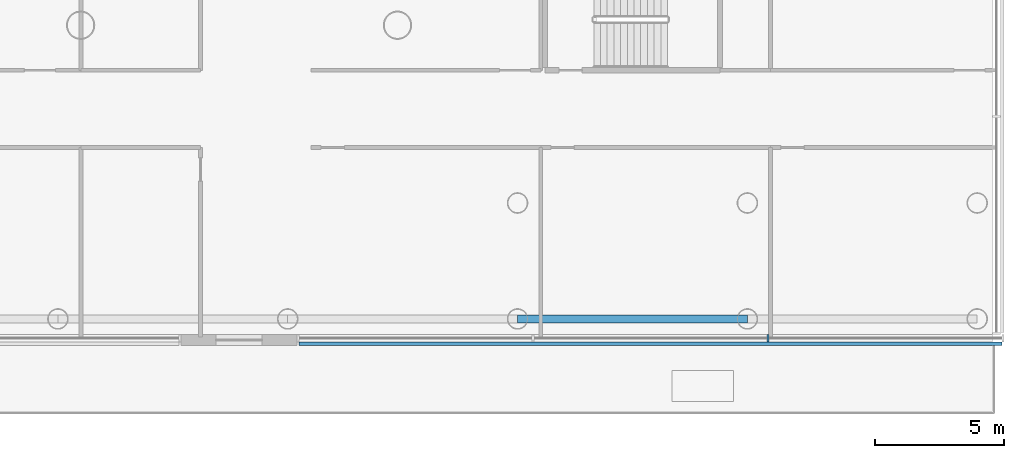
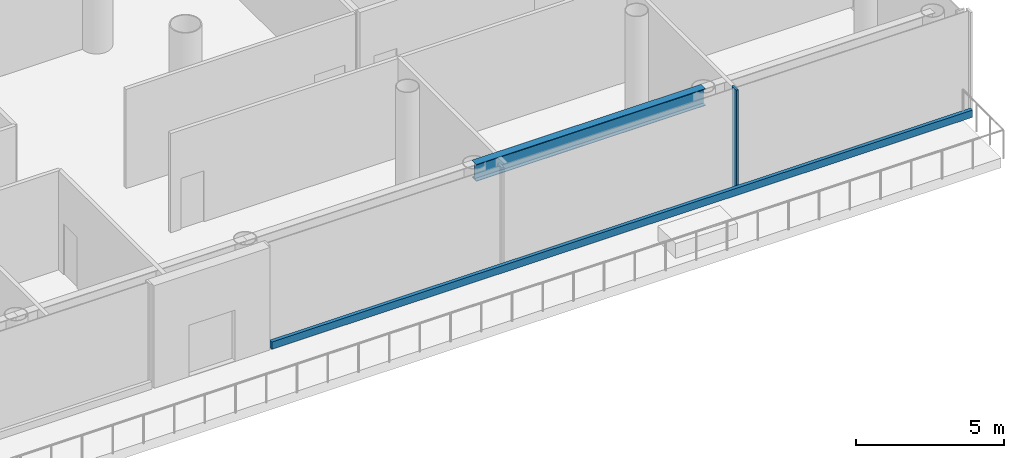
# One storey, part 9 of 51: 2 members, 1 beam, 1 element without a shape of its own.
"""IFC4 building model written with IfcOpenShell, lengths in metres."""

import ifcopenshell
import ifcopenshell.guid

model = None  # the IFC model being written
_history = None  # IfcOwnerHistory: only IFC2X3 demands one
_inside = {}  # id of a spatial element -> (the spatial element, [elements in it])
_under = {}  # id of a project, library or spatial element -> (it, [spatial elements below it])
_declared = {}  # id of a project -> (the project, [libraries it declares])
_typed = {}  # id of a type object -> (the type object, [elements of that type])
_made_of = {}  # id of a material, layer set ... -> (it, [elements and type objects made of it])


def new_model(schema):
    """Start an empty IFC model of exactly this schema.

    Asked for "IFC4X3", IfcOpenShell would pick the latest addendum, in which some entities
    have other attributes; the version numbers below select the first issue.
    IFC2X3 requires an IfcOwnerHistory on every rooted entity: one is made here for all.
    """
    global model, _history
    if schema == "IFC4X3":
        model = ifcopenshell.file(schema_version=(4, 3, 0, 0))
    else:
        model = ifcopenshell.file(schema=schema)
    _inside.clear()
    _under.clear()
    _declared.clear()
    _typed.clear()
    _made_of.clear()
    _history = None
    if model.schema == "IFC2X3":
        org = make("IfcOrganization", Name="unknown")
        user = make(
            "IfcPersonAndOrganization",
            ThePerson=make("IfcPerson", FamilyName="unknown"),
            TheOrganization=org,
        )
        app = make(
            "IfcApplication",
            ApplicationDeveloper=org,
            Version="unknown",
            ApplicationFullName="unknown",
            ApplicationIdentifier="unknown",
        )
        _history = make(
            "IfcOwnerHistory",
            OwningUser=user,
            OwningApplication=app,
            ChangeAction="ADDED",
            CreationDate=0,
        )
    return model


def make(cls, **values):
    """One entity of the class cls with the attributes given. An attribute that is None is left unset."""
    return model.create_entity(
        cls, **{name: value for name, value in values.items() if value is not None}
    )


def rooted(cls, **values):
    """An entity with a GlobalId (a new one), such as an element, a storey or a relation."""
    return make(cls, GlobalId=ifcopenshell.guid.new(), OwnerHistory=_history, **values)


def si_unit(unit_type, name, prefix=None):
    """IfcSIUnit, for example si_unit("LENGTHUNIT", "METRE", prefix="MILLI")."""
    return make("IfcSIUnit", UnitType=unit_type, Prefix=prefix, Name=name)


def assignment(units):
    """IfcUnitAssignment: the units of a project."""
    return None if units is None else make("IfcUnitAssignment", Units=units)


def point(xyz):
    """IfcCartesianPoint."""
    return None if xyz is None else make("IfcCartesianPoint", Coordinates=xyz)


def direction(xyz):
    """IfcDirection."""
    return None if xyz is None else make("IfcDirection", DirectionRatios=xyz)


def frame(location, z_axis=None, x_axis=None):
    """IfcAxis2Placement3D, a coordinate frame: its origin and axes. An axis left out is left unset."""
    return make(
        "IfcAxis2Placement3D",
        Location=point(location),
        Axis=direction(z_axis),
        RefDirection=direction(x_axis),
    )


def frame_2d(location, x_axis=None):
    """IfcAxis2Placement2D, a coordinate frame in the plane: its origin and x axis."""
    return make(
        "IfcAxis2Placement2D", Location=point(location), RefDirection=direction(x_axis)
    )


def origin():
    """The frame at (0, 0, 0) with its axes left unset."""
    return frame((0.0, 0.0, 0.0))


def origin_2d():
    """The frame at (0, 0) in the plane with its x axis left unset."""
    return frame_2d((0.0, 0.0))


def place(relative_to, where):
    """IfcLocalPlacement: puts the frame where relative to a parent placement (None: the world)."""
    return make(
        "IfcLocalPlacement", PlacementRelTo=relative_to, RelativePlacement=where
    )


def context(
    kind, dimensions, precision=None, world=None, true_north=None, identifier=None
):
    """IfcGeometricRepresentationContext, for example the 3D "Model" context."""
    return make(
        "IfcGeometricRepresentationContext",
        ContextIdentifier=identifier,
        ContextType=kind,
        CoordinateSpaceDimension=dimensions,
        Precision=precision,
        WorldCoordinateSystem=world,
        TrueNorth=true_north,
    )


def subcontext(parent, identifier, kind, view, scale=None):
    """IfcGeometricRepresentationSubContext, for example "Body" below "Model"."""
    return make(
        "IfcGeometricRepresentationSubContext",
        ContextIdentifier=identifier,
        ContextType=kind,
        ParentContext=parent,
        TargetScale=scale,
        TargetView=view,
    )


def project(units=None, contexts=None):
    """IfcProject with its units and contexts."""
    return rooted(
        "IfcProject",
        Name="project",
        RepresentationContexts=contexts,
        UnitsInContext=assignment(units),
    )


def spatial(cls, under=None, at=None, **own):
    """A site, building, storey or space (cls), placed at a placement, below another one or the project."""
    s = rooted(cls, ObjectPlacement=at, **own)
    if under is not None:
        _under.setdefault(under.id(), (under, []))[1].append(s)
    return s


def profile(cls, at=None, kind="AREA", **sizes):
    """A parametric profile (cls). Its sizes go by their IFC names, for example OverallWidth=200.0."""
    return make(cls, ProfileType=kind, Position=at, **sizes)


def rectangle(**sizes):
    """IfcRectangleProfileDef."""
    return profile("IfcRectangleProfileDef", **sizes)


def i_section(**sizes):
    """IfcIShapeProfileDef."""
    return profile("IfcIShapeProfileDef", **sizes)


def extrude(swept, where, along, depth):
    """IfcExtrudedAreaSolid: the profile swept, set in the frame where, extruded along a direction by depth."""
    return make(
        "IfcExtrudedAreaSolid",
        SweptArea=swept,
        Position=where,
        ExtrudedDirection=direction(along),
        Depth=depth,
    )


def shape(context_of_items, identifier, shape_type, items):
    """IfcShapeRepresentation: the items that make up one representation, for example the "Body"."""
    return make(
        "IfcShapeRepresentation",
        ContextOfItems=context_of_items,
        RepresentationIdentifier=identifier,
        RepresentationType=shape_type,
        Items=items,
    )


def material(Name=None, Category=None):
    """IfcMaterial."""
    return make("IfcMaterial", Name=Name, Category=Category)


def layer(
    of_material, thickness, ventilated=None, Name=None, Category=None, Priority=None
):
    """IfcMaterialLayer: one layer of a wall or slab, of a material (None: an air gap)."""
    return make(
        "IfcMaterialLayer",
        Material=of_material,
        LayerThickness=thickness,
        IsVentilated=ventilated,
        Name=Name,
        Category=Category,
        Priority=Priority,
    )


def layer_set(layers, Name=None):
    """IfcMaterialLayerSet."""
    return make("IfcMaterialLayerSet", MaterialLayers=layers, LayerSetName=Name)


def material_profile(
    of_material, cross_section, Name=None, Category=None, Priority=None
):
    """IfcMaterialProfile: a cross section and its material."""
    return make(
        "IfcMaterialProfile",
        Name=Name,
        Material=of_material,
        Profile=cross_section,
        Priority=Priority,
        Category=Category,
    )


def profile_set(profiles, Name=None, composite=None):
    """IfcMaterialProfileSet."""
    return make(
        "IfcMaterialProfileSet",
        Name=Name,
        MaterialProfiles=profiles,
        CompositeProfile=composite,
    )


def made_of(thing, what):
    """Note that an element or type object is made of a material, layer set ...; save() writes the relation."""
    if what is not None:
        _made_of.setdefault(what.id(), (what, []))[1].append(thing)
    return thing


def type_object(cls, material=None, **own):
    """A type object (cls), such as IfcWallType, which elements share."""
    return made_of(rooted(cls, **own), material)


def element(
    cls,
    number,
    at=None,
    inside=None,
    cuts=None,
    type_object=None,
    material=None,
    context=None,
    identifier="Body",
    shape_type=None,
    held_by="IfcProductDefinitionShape",
    body=None,
    shapes=None,
    **own,
):
    """One element of the class cls, such as IfcWall. Its Tag is "e" and its number.

    at: its placement. inside: the storey or other place that contains it. cuts: it is an
    opening in that element (IfcRelVoidsElement). A single representation is given by context,
    identifier, shape_type and body (its items); several are given by shapes. held_by: the class
    of the entity that holds the representations. save() writes the other relations.
    """
    e = rooted(cls, Tag="e%d" % number, ObjectPlacement=at, **own)
    if body is not None:
        shapes = [shape(context, identifier, shape_type, body)]
    if shapes is not None:
        e.Representation = make(held_by, Representations=shapes)
    if inside is not None:
        _inside.setdefault(inside.id(), (inside, []))[1].append(e)
    if cuts is not None:
        rooted(
            "IfcRelVoidsElement", RelatingBuildingElement=cuts, RelatedOpeningElement=e
        )
    if type_object is not None:
        _typed.setdefault(type_object.id(), (type_object, []))[1].append(e)
    return made_of(e, material)


def aggregate(whole, parts):
    """IfcRelAggregates: a whole, such as a stair, and the parts it consists of."""
    return rooted("IfcRelAggregates", RelatingObject=whole, RelatedObjects=parts)


def save(model, path):
    """Write the relations noted so far, then the file.

    IfcRelAggregates (storeys below a building ...), IfcRelContainedInSpatialStructure (elements
    in a storey), IfcRelDefinesByType, IfcRelAssociatesMaterial and IfcRelDeclares: one each for
    every whole, place, type object, material and project.
    """
    for whole, parts in _under.values():
        aggregate(whole, parts)
    for where, things in _inside.values():
        rooted(
            "IfcRelContainedInSpatialStructure",
            RelatedElements=things,
            RelatingStructure=where,
        )
    for kind, things in _typed.values():
        rooted("IfcRelDefinesByType", RelatedObjects=things, RelatingType=kind)
    for what, things in _made_of.values():
        rooted("IfcRelAssociatesMaterial", RelatedObjects=things, RelatingMaterial=what)
    for by, libraries in _declared.values():
        rooted("IfcRelDeclares", RelatingContext=by, RelatedDefinitions=libraries)
    model.write(path)


model = new_model("IFC4")

# Units and contexts
model_context = context("Model", 3, precision=1e-05, world=origin(), true_north=direction((0.0, 1.0)))
body_context = subcontext(model_context, "Body", "Model", "MODEL_VIEW")
ifc_project = project(units=[si_unit("LENGTHUNIT", "METRE"), si_unit("AREAUNIT", "SQUARE_METRE"), si_unit("VOLUMEUNIT", "CUBIC_METRE"), si_unit("PLANEANGLEUNIT", "RADIAN"), si_unit("MASSUNIT", "GRAM", prefix="KILO")], contexts=[model_context])

# Site, building, storey
site_placement = place(None, origin())
site = spatial("IfcSite", under=ifc_project, at=site_placement, CompositionType="ELEMENT")
building_placement = place(site_placement, origin())
building = spatial("IfcBuilding", under=site, at=building_placement, Name="Ipe Terrace Towers", CompositionType="ELEMENT")
storey_placement = place(building_placement, frame((0.0, 0.0, 15.5)))
storey = spatial("IfcBuildingStorey", under=building, at=storey_placement, Name="L03", CompositionType="ELEMENT", Elevation=15.5)

# Beam
ifc_material_1 = material(Name="Steel S355", Category="steel")
ifc_material_profile_1 = material_profile(ifc_material_1, i_section(OverallWidth=0.300048828125, OverallDepth=0.699951171875, WebThickness=0.012939453125, FlangeThickness=0.02392578125, at=origin_2d()), Name="H-700x300x13x24")
ifc_profile_set_1 = profile_set([ifc_material_profile_1], Name="Steel S355")
beam_type = type_object("IfcBeamType", Name="H13 DECK EDGE BEAM H-700x300x13x24", PredefinedType="BEAM", material=ifc_profile_set_1)
beam_placement = place(storey_placement, frame((46.81005859375, -33.14990234375, 3.72998046875), z_axis=(1.0, 0.0, 0.0), x_axis=(0.0, 1.0, 0.0)))
element("IfcBeam", 1, at=beam_placement, inside=storey, type_object=beam_type, Name="Deck edge beam PD-TB-C14-C15", PredefinedType="BEAM", context=body_context, shape_type="SweptSolid", body=[
    extrude(i_section(OverallWidth=0.300048828125, OverallDepth=0.699951171875, WebThickness=0.012939453125, FlangeThickness=0.02392578125, at=origin_2d()), origin(), (0.0, 0.0, 1.0), 8.919921875),
])

# Curtain wall, members
ifc_material_2 = material(Name="Aluminium alloy 6063-T6", Category="aluminium")
ifc_layer = layer(ifc_material_2, 0.43994140625)
ifc_layer_set = layer_set([ifc_layer], Name="PODIUM GLAZING CURTAIN WALL")
curtain_wall_type = type_object("IfcCurtainWallType", Name="PODIUM GLAZING CURTAIN WALL", PredefinedType="NOTDEFINED", material=ifc_layer_set)
curtain_wall_placement = place(storey_placement, origin())
curtain_wall = element("IfcCurtainWall", 2, at=curtain_wall_placement, inside=storey, type_object=curtain_wall_type, Name="POD-CW-L03-03f curtain wall", PredefinedType="NOTDEFINED")
ifc_material_3 = material(Name="Aluminium alloy 6063-T6", Category="aluminium")
ifc_material_profile_2 = material_profile(ifc_material_3, rectangle(XDim=0.300048828125, YDim=0.080078125, at=origin_2d()), Name="PODIUM GLAZING MULLION 300 x 80")
ifc_profile_set_2 = profile_set([ifc_material_profile_2], Name="Aluminium alloy 6063-T6")
member_type_1 = type_object("IfcMemberType", Name="PODIUM GLAZING MULLION 300 x 80", PredefinedType="MULLION", material=ifc_profile_set_2)
member_1_placement = place(storey_placement, frame((56.530029296875, -33.89990234375, -0.02001953125), z_axis=(0.0, 0.0, 1.0), x_axis=(0.0, -1.0, 0.0)))
member_1 = element("IfcMember", 3, at=member_1_placement, type_object=member_type_1, Name="POD-CW-L03-03f mullion 3", PredefinedType="MULLION", context=body_context, shape_type="SweptSolid", body=[
    extrude(rectangle(XDim=0.300048828125, YDim=0.080078125, at=origin_2d()), origin(), (0.0, 0.0, 1.0), 4.219970703125),
])
ifc_material_4 = material(Name="Aluminium alloy 6063-T6", Category="aluminium")
ifc_material_profile_3 = material_profile(ifc_material_4, rectangle(XDim=0.139892578125, YDim=0.300048828125, at=origin_2d()), Name="PODIUM GLAZING TRANSOM 140 x 300")
ifc_profile_set_3 = profile_set([ifc_material_profile_3], Name="Aluminium alloy 6063-T6")
member_type_2 = type_object("IfcMemberType", Name="PODIUM GLAZING TRANSOM 140 x 300", PredefinedType="USERDEFINED", material=ifc_profile_set_3)
member_2_placement = place(storey_placement, frame((38.330078125, -34.1201171875, 0.1298828125), z_axis=(1.0, 0.0, 0.0), x_axis=(0.0, -1.0, 0.0)))
member_2 = element("IfcMember", 4, at=member_2_placement, type_object=member_type_2, Name="POD-CW-L03-03f transom", ObjectType="TRANSOM", PredefinedType="USERDEFINED", context=body_context, shape_type="SweptSolid", body=[
    extrude(rectangle(XDim=0.139892578125, YDim=0.300048828125, at=origin_2d()), origin(), (0.0, 0.0, 1.0), 27.280029296875),
])
aggregate(curtain_wall, [member_1, member_2])

save(model, "model.ifc")
